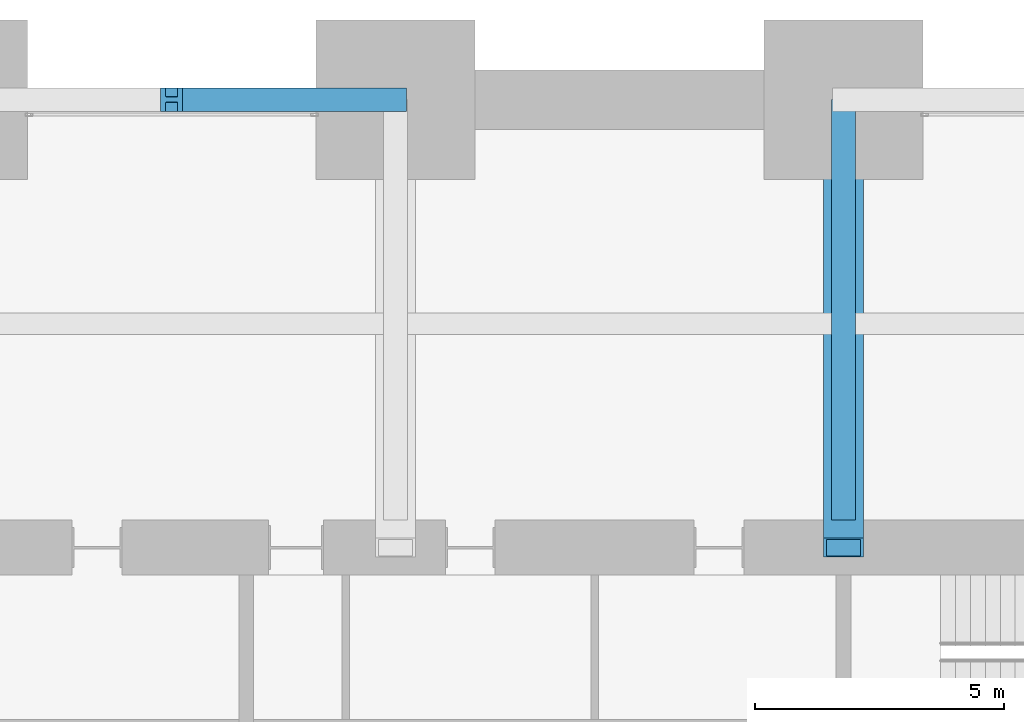
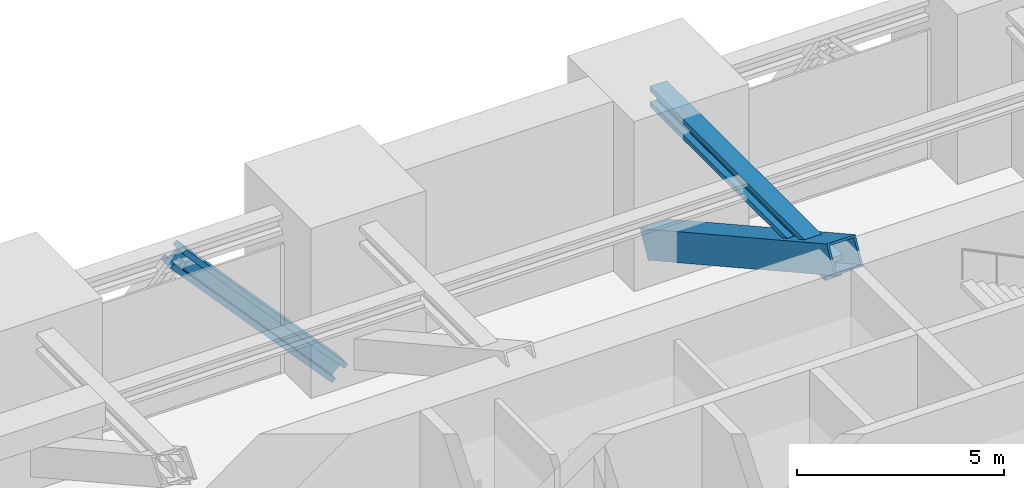
# One storey, part 24 of 32: 2 members, 1 beam.
"""IFC4 building model written with IfcOpenShell, lengths in metres."""

from ifc_helpers import new_model, si_unit, direction, frame, origin, origin_2d, place, context, subcontext, project, spatial, hollow_rectangle, i_section, extrude, material, material_profile, profile_set, type_object, element, save


model = new_model("IFC4")

# Units and contexts
model_context = context("Model", 3, precision=1e-05, world=origin(), true_north=direction((0.0, 1.0)))
body_context = subcontext(model_context, "Body", "Model", "MODEL_VIEW")
ifc_project = project(units=[si_unit("LENGTHUNIT", "METRE"), si_unit("AREAUNIT", "SQUARE_METRE"), si_unit("VOLUMEUNIT", "CUBIC_METRE"), si_unit("PLANEANGLEUNIT", "RADIAN"), si_unit("MASSUNIT", "GRAM", prefix="KILO")], contexts=[model_context])

# Site, building, storey
site_placement = place(None, origin())
site = spatial("IfcSite", under=ifc_project, at=site_placement, CompositionType="ELEMENT")
building_placement = place(site_placement, origin())
building = spatial("IfcBuilding", under=site, at=building_placement, Name="Zorevar Civic Tower", CompositionType="ELEMENT")
storey_placement = place(building_placement, frame((0.0, 0.0, 234.39990234375)))
storey = spatial("IfcBuildingStorey", under=building, at=storey_placement, Name="L57", CompositionType="ELEMENT", Elevation=234.39990234375)

# Member
ifc_material_1 = material(Name="Steel S460M (HISTAR 460)", Category="steel")
ifc_material_profile_1 = material_profile(ifc_material_1, i_section(OverallWidth=0.47607421875, OverallDepth=0.60009765625, WebThickness=0.10009765625, FlangeThickness=0.139892578125, FilletRadius=0.014892578125, at=origin_2d()), Name="HD 400x1299")
ifc_profile_set_1 = profile_set([ifc_material_profile_1], Name="Steel S460M (HISTAR 460)")
member_type_1 = type_object("IfcMemberType", Name="Belt strut HD 400x1299", PredefinedType="BRACE", material=ifc_profile_set_1)
member_1_placement = place(storey_placement, frame((27.0, 45.0, -0.64990234375), z_axis=(-0.672676426978, 0.0, 0.739936770669), x_axis=(0.0, -1.0, 0.0)))
element("IfcMember", 1, at=member_1_placement, inside=storey, type_object=member_type_1, Name="Belt strut N L57", PredefinedType="BRACE", context=body_context, shape_type="SweptSolid", body=[
    extrude(i_section(OverallWidth=0.47607421875, OverallDepth=0.60009765625, WebThickness=0.10009765625, FlangeThickness=0.139892578125, FilletRadius=0.014892578125, at=origin_2d()), origin(), (0.0, 0.0, 1.0), 6.689697265625),
])

# Beam
ifc_material_2 = material(Name="Steel S460M (HISTAR 460)", Category="steel")
ifc_material_profile_2 = material_profile(ifc_material_2, i_section(OverallWidth=0.47607421875, OverallDepth=0.60009765625, WebThickness=0.10009765625, FlangeThickness=0.139892578125, FilletRadius=0.014892578125, at=origin_2d()), Name="HD 400x1299")
ifc_profile_set_2 = profile_set([ifc_material_profile_2], Name="Steel S460M (HISTAR 460)")
beam_type = type_object("IfcBeamType", Name="Outrigger chord HD 400x1299", PredefinedType="BEAM", material=ifc_profile_set_2)
beam_placement = place(storey_placement, frame((36.0, 36.550048828125, 4.300048828125), z_axis=(0.0, 1.0, 0.0), x_axis=(-1.0, 0.0, 0.0)))
element("IfcBeam", 2, at=beam_placement, inside=storey, type_object=beam_type, Name="Outrigger chord L58", PredefinedType="BEAM", context=body_context, shape_type="SweptSolid", body=[
    extrude(i_section(OverallWidth=0.47607421875, OverallDepth=0.60009765625, WebThickness=0.10009765625, FlangeThickness=0.139892578125, FilletRadius=0.014892578125, at=origin_2d()), origin(), (0.0, 0.0, 1.0), 8.449951171875),
])

# Member
ifc_material_3 = material(Name="Steel S460M (HISTAR 460)", Category="steel")
ifc_material_profile_3 = material_profile(ifc_material_3, hollow_rectangle(XDim=0.800048828125, YDim=0.800048828125, WallThickness=0.06005859375, at=origin_2d()), Name="BOX 800x800x60")
ifc_profile_set_3 = profile_set([ifc_material_profile_3], Name="Steel S460M (HISTAR 460)")
member_type_2 = type_object("IfcMemberType", Name="Outrigger diagonal BOX 800x800x60", PredefinedType="BRACE", material=ifc_profile_set_3)
member_2_placement = place(storey_placement, frame((36.0, 36.0, 5.0), z_axis=(0.0, 0.874157276122, -0.485642931179), x_axis=(-1.0, 0.0, 0.0)))
element("IfcMember", 3, at=member_2_placement, inside=storey, type_object=member_type_2, Name="Outrigger diagonal N L57", PredefinedType="BRACE", context=body_context, shape_type="SweptSolid", body=[
    extrude(hollow_rectangle(XDim=0.800048828125, YDim=0.800048828125, WallThickness=0.06005859375, at=origin_2d()), origin(), (0.0, 0.0, 1.0), 10.295654296875),
])

save(model, "model.ifc")
